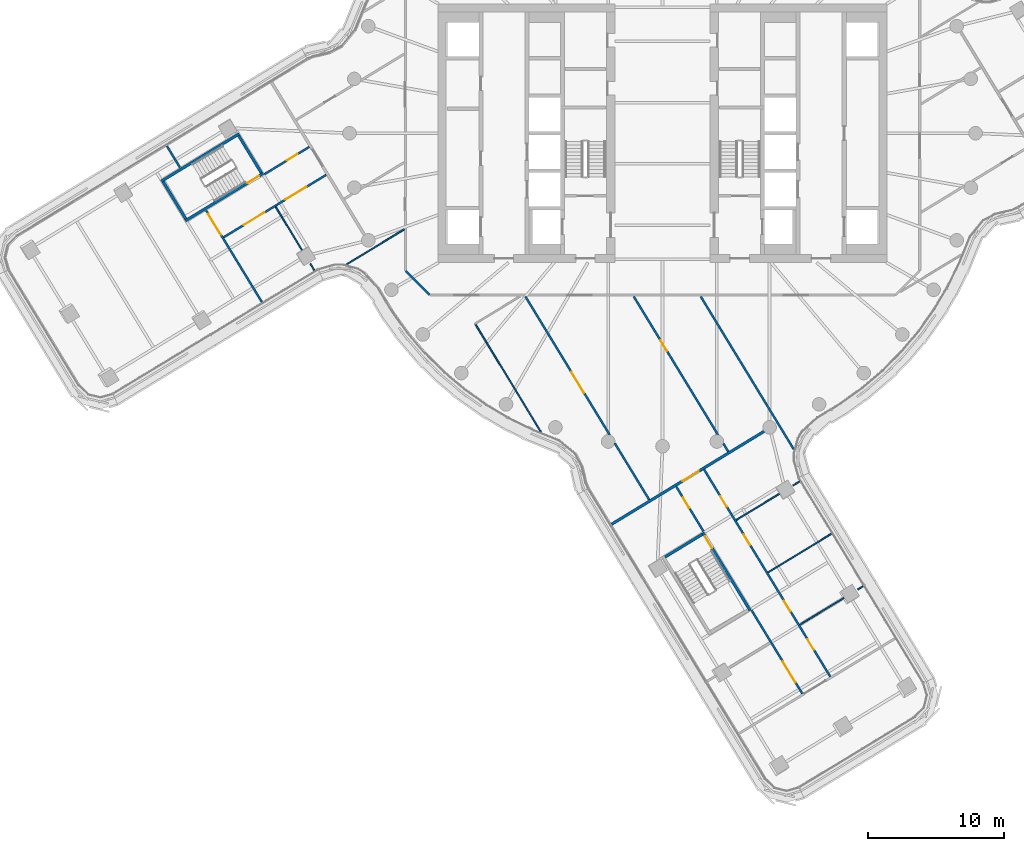
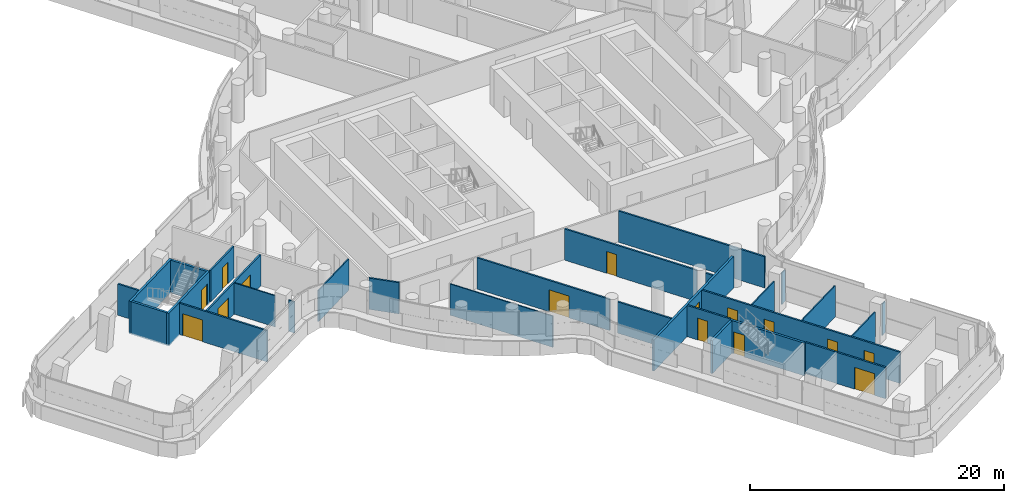
# One storey, part 21 of 35: 29 walls, 15 doors, 15 openings.
"""IFC4 building model written with IfcOpenShell, lengths in metres."""

from ifc_helpers import new_model, si_unit, direction, frame, frame_2d, origin, place, context, subcontext, project, spatial, polyline, rectangle, outline, extrude, material, layer, layer_set, type_object, element, fill, save


model = new_model("IFC4")

# Units and contexts
model_context = context("Model", 3, precision=1e-05, world=origin(), true_north=direction((0.0, 1.0)))
body_context = subcontext(model_context, "Body", "Model", "MODEL_VIEW")
ifc_project = project(units=[si_unit("LENGTHUNIT", "METRE"), si_unit("AREAUNIT", "SQUARE_METRE"), si_unit("VOLUMEUNIT", "CUBIC_METRE"), si_unit("PLANEANGLEUNIT", "RADIAN"), si_unit("MASSUNIT", "GRAM", prefix="KILO")], contexts=[model_context])

# Site, building, storey
site_placement = place(None, origin())
site = spatial("IfcSite", under=ifc_project, at=site_placement, CompositionType="ELEMENT")
building_placement = place(site_placement, origin())
building = spatial("IfcBuilding", under=site, at=building_placement, Name="Tamarind Cross Interchange Tower", CompositionType="ELEMENT")
storey_placement = place(building_placement, frame((0.0, 0.0, 148.0)))
storey = spatial("IfcBuildingStorey", under=building, at=storey_placement, Name="L36", CompositionType="ELEMENT", Elevation=148.0)

# Walls
ifc_material_1 = material(Name="Gypsum board partition on steel studs", Category="steel")
ifc_layer_1 = layer(ifc_material_1, 0.10009765625)
ifc_layer_set_1 = layer_set([ifc_layer_1], Name="Gypsum board partition on steel studs")
wall_type_1 = type_object("IfcWallType", Name="Partition 100 mm EI 90", PredefinedType="PARTITIONING", material=ifc_layer_set_1)
wall_1_placement = place(storey_placement, frame((-28.425048828125, -5.406005859375, 0.0), z_axis=(0.0, 0.0, 1.0), x_axis=(0.520122472482, -0.854091689235, 0.0)))
element("IfcWall", 1, at=wall_1_placement, inside=storey, type_object=wall_type_1, Name="Partition L36-004", PredefinedType="PARTITIONING", context=body_context, shape_type="SweptSolid", body=[
    extrude(rectangle(XDim=3.706298828125, YDim=0.10009765625, at=frame_2d((1.85302734375, 0.0))), origin(), (0.0, 0.0, 1.0), 3.010009765625),
])
wall_2_placement = place(storey_placement, frame((-25.876953125, -9.5908203125, 0.0), z_axis=(0.0, 0.0, 1.0), x_axis=(0.520444667397, -0.853895396508, 0.0)))
element("IfcWall", 2, at=wall_2_placement, inside=storey, type_object=wall_type_1, Name="Partition L36-005", PredefinedType="PARTITIONING", context=body_context, shape_type="SweptSolid", body=[
    extrude(rectangle(XDim=0.56005859375, YDim=0.10009765625, at=frame_2d((0.280029296875, 0.0))), origin(), (0.0, 0.0, 1.0), 3.010009765625),
])
wall_3_placement = place(storey_placement, frame((-13.7470703125, -14.038818359375, 0.0), z_axis=(0.0, 0.0, 1.0), x_axis=(0.520158758084, -0.854069591069, 0.0)))
element("IfcWall", 3, at=wall_3_placement, inside=storey, type_object=wall_type_1, Name="Partition L36-006", PredefinedType="PARTITIONING", context=body_context, shape_type="SweptSolid", body=[
    extrude(rectangle(XDim=9.25048828125, YDim=0.10009765625, at=frame_2d((4.625244140625, 0.0))), origin(), (0.0, 0.0, 1.0), 3.010009765625),
])
wall_4_placement = place(storey_placement, frame((-23.211181640625, -9.636474609375, 0.0), z_axis=(0.0, 0.0, 1.0), x_axis=(0.854072881225, 0.520153355806, 0.0)))
element("IfcWall", 4, at=wall_4_placement, inside=storey, type_object=wall_type_1, Name="Partition L36-042", PredefinedType="PARTITIONING", context=body_context, shape_type="SweptSolid", body=[
    extrude(rectangle(XDim=4.95263671875, YDim=0.10009765625, at=frame_2d((2.476318359375, 0.0))), origin(), (0.0, 0.0, 1.0), 3.010009765625),
])
wall_5_placement = place(storey_placement, frame((10.092041015625, -36.10888671875, 0.0), z_axis=(0.0, 0.0, 1.0), x_axis=(0.854040252473, 0.520206927247, 0.0)))
element("IfcWall", 5, at=wall_5_placement, inside=storey, type_object=wall_type_1, Name="Partition L36-056", PredefinedType="PARTITIONING", context=body_context, shape_type="SweptSolid", body=[
    extrude(rectangle(XDim=3.783203125, YDim=0.10009765625, at=frame_2d((1.8916015625, 0.0))), origin(), (0.0, 0.0, 1.0), 3.010009765625),
])
wall_6_placement = place(storey_placement, frame((14.342041015625, -33.520263671875, 0.0), z_axis=(0.0, 0.0, 1.0), x_axis=(0.853911297879, 0.520418577065, 0.0)))
element("IfcWall", 6, at=wall_6_placement, inside=storey, type_object=wall_type_1, Name="Partition L36-057", PredefinedType="PARTITIONING", context=body_context, shape_type="SweptSolid", body=[
    extrude(rectangle(XDim=0.459716796875, YDim=0.10009765625, at=frame_2d((0.22998046875, 0.0))), origin(), (0.0, 0.0, 1.0), 3.010009765625),
])
wall_7_placement = place(storey_placement, frame((5.410400390625, -28.42236328125, 0.0), z_axis=(0.0, 0.0, 1.0), x_axis=(0.854092814708, 0.520120624341, 0.0)))
element("IfcWall", 7, at=wall_7_placement, inside=storey, type_object=wall_type_1, Name="Partition L36-058", PredefinedType="PARTITIONING", context=body_context, shape_type="SweptSolid", body=[
    extrude(rectangle(XDim=3.701171875, YDim=0.10009765625, at=frame_2d((1.8505859375, 0.0))), origin(), (0.0, 0.0, 1.0), 3.010009765625),
])
wall_8_placement = place(storey_placement, frame((9.5908203125, -25.876953125, 0.0), z_axis=(0.0, 0.0, 1.0), x_axis=(0.853895396508, 0.520444667397, 0.0)))
element("IfcWall", 8, at=wall_8_placement, inside=storey, type_object=wall_type_1, Name="Partition L36-059", PredefinedType="PARTITIONING", context=body_context, shape_type="SweptSolid", body=[
    extrude(rectangle(XDim=0.56005859375, YDim=0.10009765625, at=frame_2d((0.280029296875, 0.0))), origin(), (0.0, 0.0, 1.0), 3.010009765625),
])
wall_9_placement = place(storey_placement, frame((7.751220703125, -32.266357421875, 0.0), z_axis=(0.0, 0.0, 1.0), x_axis=(0.854052214436, 0.520187288404, 0.0)))
element("IfcWall", 9, at=wall_9_placement, inside=storey, type_object=wall_type_1, Name="Partition L36-061", PredefinedType="PARTITIONING", context=body_context, shape_type="SweptSolid", body=[
    extrude(rectangle(XDim=5.445556640625, YDim=0.10009765625, at=frame_2d((2.72265625, 0.0))), origin(), (0.0, 0.0, 1.0), 3.010009765625),
])
ifc_layer_2 = layer(ifc_material_1, 0.14990234375)
ifc_layer_set_2 = layer_set([ifc_layer_2], Name="Gypsum board partition on steel studs")
wall_type_2 = type_object("IfcWallType", Name="Partition 150 mm EI 120", PredefinedType="PARTITIONING", material=ifc_layer_set_2)
wall_10_placement = place(storey_placement, frame((-36.41650390625, -0.936767578125, 0.0), z_axis=(0.0, 0.0, 1.0), x_axis=(0.519951113346, -0.8541960195, 0.0)))
element("IfcWall", 10, at=wall_10_placement, inside=storey, type_object=wall_type_2, Name="Partition L36-001", PredefinedType="PARTITIONING", context=body_context, shape_type="SweptSolid", body=[
    extrude(rectangle(XDim=1.85888671875, YDim=0.14990234375, at=frame_2d((0.929443359375, 0.0))), origin(), (0.0, 0.0, 1.0), 3.010009765625),
])

# Wall, opening, door
wall_11_placement = place(storey_placement, frame((-33.5361328125, -5.668701171875, 0.0), z_axis=(0.0, 0.0, 1.0), x_axis=(0.519944982291, -0.854199751457, 0.0)))
wall_11 = element("IfcWall", 11, at=wall_11_placement, inside=storey, type_object=wall_type_2, Name="Partition L36-002", PredefinedType="PARTITIONING", context=body_context, shape_type="SweptSolid", body=[
    extrude(rectangle(XDim=7.884765625, YDim=0.14990234375, at=frame_2d((3.9423828125, 0.0))), origin(), (0.0, 0.0, 1.0), 3.010009765625),
])
opening_1_placement = place(wall_11_placement, frame((0.300048828125, 0.0, 0.0)))
opening_1 = element("IfcOpeningElement", 12, at=opening_1_placement, cuts=wall_11, Name="Opening D01", PredefinedType="OPENING", context=body_context, shape_type="SweptSolid", body=[
    extrude(rectangle(XDim=1.800048828125, YDim=2.10009765625, at=frame_2d((0.89990234375, 1.050048828125))), frame((0.0, 0.0849609375, 0.0), z_axis=(0.0, -1.0, 0.0), x_axis=(1.0, 0.0, 0.0)), (0.0, 0.0, 1.0), 0.169921875),
])
ifc_material_2 = material(Name="Fire-resisting door set")
door_type_1 = type_object("IfcDoorType", Name="Interior door 1800 x 2100 FD60S", OperationType="DOUBLE_DOOR_SINGLE_SWING", PredefinedType="DOOR", material=ifc_material_2)
door_1_placement = place(opening_1_placement, frame((1.800048828125, 0.0, 0.0), z_axis=(0.0, 0.0, 1.0), x_axis=(-1.0, 0.0, 0.0)))
door_1 = element("IfcDoor", 13, at=door_1_placement, inside=storey, type_object=door_type_1, Name="Door D01", OperationType="DOUBLE_DOOR_SINGLE_SWING", OverallHeight=2.10009765625, OverallWidth=1.800048828125, PredefinedType="DOOR", context=body_context, shape_type="SweptSolid", body=[
    extrude(rectangle(XDim=1.800048828125, YDim=2.10009765625, at=frame_2d((0.89990234375, 1.050048828125))), frame((0.0, 0.02490234375, 0.0), z_axis=(0.0, -1.0, 0.0), x_axis=(1.0, 0.0, 0.0)), (0.0, 0.0, 1.0), 0.050048828125),
])
fill(opening_1, door_1)

wall_12_placement = place(storey_placement, frame((-10.0732421875, -11.998291015625, 0.0), z_axis=(0.0, 0.0, 1.0), x_axis=(0.520207638853, -0.854039819024, 0.0)))
wall_12 = element("IfcWall", 14, at=wall_12_placement, inside=storey, type_object=wall_type_2, Name="Partition L36-007", PredefinedType="PARTITIONING", context=body_context, shape_type="SweptSolid", body=[
    extrude(rectangle(XDim=11.91259765625, YDim=0.14990234375, at=frame_2d((5.956298828125, 0.0))), origin(), (0.0, 0.0, 1.0), 3.010009765625),
])
opening_2_placement = place(wall_12_placement, frame((6.485107421875, 0.0, 0.0)))
opening_2 = element("IfcOpeningElement", 15, at=opening_2_placement, cuts=wall_12, Name="Opening D03", PredefinedType="OPENING", context=body_context, shape_type="SweptSolid", body=[
    extrude(rectangle(XDim=1.800048828125, YDim=2.10009765625, at=frame_2d((0.89990234375, 1.050048828125))), frame((0.0, 0.0849609375, 0.0), z_axis=(0.0, -1.0, 0.0), x_axis=(1.0, 0.0, 0.0)), (0.0, 0.0, 1.0), 0.169921875),
])
door_2_placement = place(opening_2_placement, frame((1.800048828125, 0.0, 0.0), z_axis=(0.0, 0.0, 1.0), x_axis=(-1.0, 0.0, 0.0)))
door_2 = element("IfcDoor", 16, at=door_2_placement, inside=storey, type_object=door_type_1, Name="Door D03", OperationType="DOUBLE_DOOR_SINGLE_SWING", OverallHeight=2.10009765625, OverallWidth=1.800048828125, PredefinedType="DOOR", context=body_context, shape_type="SweptSolid", body=[
    extrude(rectangle(XDim=1.800048828125, YDim=2.10009765625, at=frame_2d((0.89990234375, 1.050048828125))), frame((0.0, 0.02490234375, 0.0), z_axis=(0.0, -1.0, 0.0), x_axis=(1.0, 0.0, 0.0)), (0.0, 0.0, 1.0), 0.050048828125),
])
fill(opening_2, door_2)

# Wall
wall_13_placement = place(storey_placement, frame((-3.5146484375, -22.765625, 0.0), z_axis=(0.0, 0.0, 1.0), x_axis=(0.520185263298, -0.854053447887, 0.0)))
element("IfcWall", 17, at=wall_13_placement, inside=storey, type_object=wall_type_2, Name="Partition L36-008", PredefinedType="PARTITIONING", context=body_context, shape_type="SweptSolid", body=[
    extrude(rectangle(XDim=4.87451171875, YDim=0.14990234375, at=frame_2d((2.437255859375, 0.0))), origin(), (0.0, 0.0, 1.0), 3.010009765625),
])

# Wall, opening, door
wall_14_placement = place(storey_placement, frame((-2.111083984375, -11.998291015625, 0.0), z_axis=(0.0, 0.0, 1.0), x_axis=(0.520158414561, -0.854069800287, 0.0)))
wall_14 = element("IfcWall", 18, at=wall_14_placement, inside=storey, type_object=wall_type_2, Name="Partition L36-016", PredefinedType="PARTITIONING", context=body_context, shape_type="SweptSolid", body=[
    extrude(rectangle(XDim=11.90234375, YDim=0.14990234375, at=frame_2d((5.951171875, 0.0))), origin(), (0.0, 0.0, 1.0), 3.010009765625),
])
opening_3_placement = place(wall_14_placement, frame((3.784912109375, 0.0, 0.0)))
opening_3 = element("IfcOpeningElement", 19, at=opening_3_placement, cuts=wall_14, Name="Opening D09", PredefinedType="OPENING", context=body_context, shape_type="SweptSolid", body=[
    extrude(rectangle(XDim=0.89990234375, YDim=2.10009765625, at=frame_2d((0.449951171875, 1.050048828125))), frame((0.0, 0.0849609375, 0.0), z_axis=(0.0, -1.0, 0.0), x_axis=(1.0, 0.0, 0.0)), (0.0, 0.0, 1.0), 0.169921875),
])
door_type_2 = type_object("IfcDoorType", Name="Interior door 900 x 2100 FD60S", OperationType="SINGLE_SWING_LEFT", PredefinedType="DOOR", material=ifc_material_2)
door_3_placement = place(opening_3_placement, origin())
door_3 = element("IfcDoor", 20, at=door_3_placement, inside=storey, type_object=door_type_2, Name="Door D09", OperationType="SINGLE_SWING_RIGHT", OverallHeight=2.10009765625, OverallWidth=0.89990234375, PredefinedType="DOOR", context=body_context, shape_type="SweptSolid", body=[
    extrude(rectangle(XDim=0.89990234375, YDim=2.10009765625, at=frame_2d((0.449951171875, 1.050048828125))), frame((0.0, 0.02490234375, 0.0), z_axis=(0.0, -1.0, 0.0), x_axis=(1.0, 0.0, 0.0)), (0.0, 0.0, 1.0), 0.050048828125),
])
fill(opening_3, door_3)

# Wall
wall_15_placement = place(storey_placement, frame((4.465087890625, -22.795654296875, 0.0), z_axis=(0.0, 0.0, 1.0), x_axis=(0.519991350708, -0.854171525625, 0.0)))
element("IfcWall", 21, at=wall_15_placement, inside=storey, type_object=wall_type_2, Name="Partition L36-017", PredefinedType="PARTITIONING", context=body_context, shape_type="SweptSolid", body=[
    extrude(rectangle(XDim=0.69775390625, YDim=0.14990234375, at=frame_2d((0.348876953125, 0.0))), origin(), (0.0, 0.0, 1.0), 3.010009765625),
])

# Wall, opening, door
wall_16_placement = place(storey_placement, frame((1.00390625, -25.955322265625, 0.0), z_axis=(0.0, 0.0, 1.0), x_axis=(0.520149611464, -0.854075161619, 0.0)))
wall_16 = element("IfcWall", 22, at=wall_16_placement, inside=storey, type_object=wall_type_2, Name="Partition L36-021", PredefinedType="PARTITIONING", context=body_context, shape_type="SweptSolid", body=[
    extrude(rectangle(XDim=3.859619140625, YDim=0.14990234375, at=frame_2d((1.9296875, 0.0))), origin(), (0.0, 0.0, 1.0), 3.010009765625),
])
opening_4_placement = place(wall_16_placement, frame((0.949951171875, 0.0, 0.0)))
opening_4 = element("IfcOpeningElement", 23, at=opening_4_placement, cuts=wall_16, Name="Opening D13", PredefinedType="OPENING", context=body_context, shape_type="SweptSolid", body=[
    extrude(rectangle(XDim=0.89990234375, YDim=2.10009765625, at=frame_2d((0.449951171875, 1.050048828125))), frame((0.0, 0.0849609375, 0.0), z_axis=(0.0, -1.0, 0.0), x_axis=(1.0, 0.0, 0.0)), (0.0, 0.0, 1.0), 0.169921875),
])
door_4_placement = place(opening_4_placement, frame((0.89990234375, 0.0, 0.0), z_axis=(0.0, 0.0, 1.0), x_axis=(-1.0, 0.0, 0.0)))
door_4 = element("IfcDoor", 24, at=door_4_placement, inside=storey, type_object=door_type_2, Name="Door D13", OperationType="SINGLE_SWING_LEFT", OverallHeight=2.10009765625, OverallWidth=0.89990234375, PredefinedType="DOOR", context=body_context, shape_type="SweptSolid", body=[
    extrude(rectangle(XDim=0.89990234375, YDim=2.10009765625, at=frame_2d((0.449951171875, 1.050048828125))), frame((0.0, 0.02490234375, 0.0), z_axis=(0.0, -1.0, 0.0), x_axis=(1.0, 0.0, 0.0)), (0.0, 0.0, 1.0), 0.050048828125),
])
fill(opening_4, door_4)

wall_17_placement = place(storey_placement, frame((6.537841796875, -35.04248046875, 0.0), z_axis=(0.0, 0.0, 1.0), x_axis=(0.520109812867, -0.854099398524, 0.0)))
wall_17 = element("IfcWall", 25, at=wall_17_placement, inside=storey, type_object=wall_type_2, Name="Partition L36-022", PredefinedType="PARTITIONING", context=body_context, shape_type="SweptSolid", body=[
    extrude(rectangle(XDim=7.180419921875, YDim=0.14990234375, at=frame_2d((3.59033203125, 0.0))), origin(), (0.0, 0.0, 1.0), 3.010009765625),
])
opening_5_placement = place(wall_17_placement, frame((4.40966796875, 0.0, 0.0)))
opening_5 = element("IfcOpeningElement", 26, at=opening_5_placement, cuts=wall_17, Name="Opening D14", PredefinedType="OPENING", context=body_context, shape_type="SweptSolid", body=[
    extrude(rectangle(XDim=1.800048828125, YDim=2.10009765625, at=frame_2d((0.89990234375, 1.050048828125))), frame((0.0, 0.0849609375, 0.0), z_axis=(0.0, -1.0, 0.0), x_axis=(1.0, 0.0, 0.0)), (0.0, 0.0, 1.0), 0.169921875),
])
door_5_placement = place(opening_5_placement, frame((1.800048828125, 0.0, 0.0), z_axis=(0.0, 0.0, 1.0), x_axis=(-1.0, 0.0, 0.0)))
door_5 = element("IfcDoor", 27, at=door_5_placement, inside=storey, type_object=door_type_1, Name="Door D14", OperationType="DOUBLE_DOOR_SINGLE_SWING", OverallHeight=2.10009765625, OverallWidth=1.800048828125, PredefinedType="DOOR", context=body_context, shape_type="SweptSolid", body=[
    extrude(rectangle(XDim=1.800048828125, YDim=2.10009765625, at=frame_2d((0.89990234375, 1.050048828125))), frame((0.0, 0.02490234375, 0.0), z_axis=(0.0, -1.0, 0.0), x_axis=(1.0, 0.0, 0.0)), (0.0, 0.0, 1.0), 0.050048828125),
])
fill(opening_5, door_5)

# Wall
wall_18_placement = place(storey_placement, frame((2.806884765625, -11.998291015625, 0.0), z_axis=(0.0, 0.0, 1.0), x_axis=(0.520227143578, -0.854027938117, 0.0)))
element("IfcWall", 28, at=wall_18_placement, inside=storey, type_object=wall_type_2, Name="Partition L36-023", PredefinedType="PARTITIONING", context=body_context, shape_type="SweptSolid", body=[
    extrude(rectangle(XDim=13.128662109375, YDim=0.14990234375, at=frame_2d((6.564453125, 0.0))), origin(), (0.0, 0.0, 1.0), 3.010009765625),
])

# Wall, openings, doors
wall_19_placement = place(storey_placement, frame((3.053955078125, -24.706298828125, 0.0), z_axis=(0.0, 0.0, 1.0), x_axis=(0.520172066884, -0.854061485394, 0.0)))
wall_19 = element("IfcWall", 29, at=wall_19_placement, inside=storey, type_object=wall_type_2, Name="Partition L36-024", PredefinedType="PARTITIONING", context=body_context, shape_type="SweptSolid", body=[
    extrude(rectangle(XDim=17.820068359375, YDim=0.14990234375, at=frame_2d((8.91015625, 0.0))), origin(), (0.0, 0.0, 1.0), 3.010009765625),
])
opening_6_placement = place(wall_19_placement, frame((2.300048828125, 0.0, 0.0)))
opening_6 = element("IfcOpeningElement", 30, at=opening_6_placement, cuts=wall_19, Name="Opening D15", PredefinedType="OPENING", context=body_context, shape_type="SweptSolid", body=[
    extrude(rectangle(XDim=0.89990234375, YDim=2.10009765625, at=frame_2d((0.449951171875, 1.050048828125))), frame((0.0, 0.0849609375, 0.0), z_axis=(0.0, -1.0, 0.0), x_axis=(1.0, 0.0, 0.0)), (0.0, 0.0, 1.0), 0.169921875),
])
opening_7_placement = place(wall_19_placement, frame((5.599365234375, 0.0, 0.0)))
opening_7 = element("IfcOpeningElement", 31, at=opening_7_placement, cuts=wall_19, Name="Opening D16", PredefinedType="OPENING", context=body_context, shape_type="SweptSolid", body=[
    extrude(rectangle(XDim=0.89990234375, YDim=2.10009765625, at=frame_2d((0.449951171875, 1.050048828125))), frame((0.0, 0.0849609375, 0.0), z_axis=(0.0, -1.0, 0.0), x_axis=(1.0, 0.0, 0.0)), (0.0, 0.0, 1.0), 0.169921875),
])
opening_8_placement = place(wall_19_placement, frame((11.300048828125, 0.0, 0.0)))
opening_8 = element("IfcOpeningElement", 32, at=opening_8_placement, cuts=wall_19, Name="Opening D17", PredefinedType="OPENING", context=body_context, shape_type="SweptSolid", body=[
    extrude(rectangle(XDim=0.89990234375, YDim=2.10009765625, at=frame_2d((0.449951171875, 1.050048828125))), frame((0.0, 0.0849609375, 0.0), z_axis=(0.0, -1.0, 0.0), x_axis=(1.0, 0.0, 0.0)), (0.0, 0.0, 1.0), 0.169921875),
])
opening_9_placement = place(wall_19_placement, frame((14.60009765625, 0.0, 0.0)))
opening_9 = element("IfcOpeningElement", 33, at=opening_9_placement, cuts=wall_19, Name="Opening D18", PredefinedType="OPENING", context=body_context, shape_type="SweptSolid", body=[
    extrude(rectangle(XDim=0.89990234375, YDim=2.10009765625, at=frame_2d((0.449951171875, 1.050048828125))), frame((0.0, 0.0849609375, 0.0), z_axis=(0.0, -1.0, 0.0), x_axis=(1.0, 0.0, 0.0)), (0.0, 0.0, 1.0), 0.169921875),
])
door_6_placement = place(opening_6_placement, origin())
door_6 = element("IfcDoor", 34, at=door_6_placement, inside=storey, type_object=door_type_2, Name="Door D15", OperationType="SINGLE_SWING_RIGHT", OverallHeight=2.10009765625, OverallWidth=0.89990234375, PredefinedType="DOOR", context=body_context, shape_type="SweptSolid", body=[
    extrude(rectangle(XDim=0.89990234375, YDim=2.10009765625, at=frame_2d((0.449951171875, 1.050048828125))), frame((0.0, 0.02490234375, 0.0), z_axis=(0.0, -1.0, 0.0), x_axis=(1.0, 0.0, 0.0)), (0.0, 0.0, 1.0), 0.050048828125),
])
fill(opening_6, door_6)
door_7_placement = place(opening_7_placement, origin())
door_7 = element("IfcDoor", 35, at=door_7_placement, inside=storey, type_object=door_type_2, Name="Door D16", OperationType="SINGLE_SWING_RIGHT", OverallHeight=2.10009765625, OverallWidth=0.89990234375, PredefinedType="DOOR", context=body_context, shape_type="SweptSolid", body=[
    extrude(rectangle(XDim=0.89990234375, YDim=2.10009765625, at=frame_2d((0.449951171875, 1.050048828125))), frame((0.0, 0.02490234375, 0.0), z_axis=(0.0, -1.0, 0.0), x_axis=(1.0, 0.0, 0.0)), (0.0, 0.0, 1.0), 0.050048828125),
])
fill(opening_7, door_7)
door_8_placement = place(opening_8_placement, origin())
door_8 = element("IfcDoor", 36, at=door_8_placement, inside=storey, type_object=door_type_2, Name="Door D17", OperationType="SINGLE_SWING_LEFT", OverallHeight=2.10009765625, OverallWidth=0.89990234375, PredefinedType="DOOR", context=body_context, shape_type="SweptSolid", body=[
    extrude(rectangle(XDim=0.89990234375, YDim=2.10009765625, at=frame_2d((0.449951171875, 1.050048828125))), frame((0.0, 0.02490234375, 0.0), z_axis=(0.0, -1.0, 0.0), x_axis=(1.0, 0.0, 0.0)), (0.0, 0.0, 1.0), 0.050048828125),
])
fill(opening_8, door_8)
door_9_placement = place(opening_9_placement, origin())
door_9 = element("IfcDoor", 37, at=door_9_placement, inside=storey, type_object=door_type_2, Name="Door D18", OperationType="SINGLE_SWING_LEFT", OverallHeight=2.10009765625, OverallWidth=0.89990234375, PredefinedType="DOOR", context=body_context, shape_type="SweptSolid", body=[
    extrude(rectangle(XDim=0.89990234375, YDim=2.10009765625, at=frame_2d((0.449951171875, 1.050048828125))), frame((0.0, 0.02490234375, 0.0), z_axis=(0.0, -1.0, 0.0), x_axis=(1.0, 0.0, 0.0)), (0.0, 0.0, 1.0), 0.050048828125),
])
fill(opening_9, door_9)

# Wall
wall_20_placement = place(storey_placement, frame((-18.87158203125, -10.12841796875, 0.0), z_axis=(0.0, 0.0, 1.0), x_axis=(0.707106781187, -0.707106781187, 0.0)))
element("IfcWall", 38, at=wall_20_placement, inside=storey, type_object=wall_type_2, Name="Partition L36-032", PredefinedType="PARTITIONING", context=body_context, shape_type="SweptSolid", body=[
    extrude(rectangle(XDim=2.465087890625, YDim=0.14990234375, at=frame_2d((1.232421875, 0.0))), origin(), (0.0, 0.0, 1.0), 3.010009765625),
])

# Wall, openings, doors
wall_21_placement = place(storey_placement, frame((-32.243896484375, -7.64404296875, 0.0), z_axis=(0.0, 0.0, 1.0), x_axis=(0.854078870735, 0.520143521121, 0.0)))
wall_21 = element("IfcWall", 39, at=wall_21_placement, inside=storey, type_object=wall_type_2, Name="Partition L36-036", PredefinedType="PARTITIONING", context=body_context, shape_type="SweptSolid", body=[
    extrude(rectangle(XDim=8.8251953125, YDim=0.14990234375, at=frame_2d((4.41259765625, 0.0))), origin(), (0.0, 0.0, 1.0), 3.010009765625),
])
opening_10_placement = place(wall_21_placement, frame((1.72509765625, 0.0, 0.0)))
opening_10 = element("IfcOpeningElement", 40, at=opening_10_placement, cuts=wall_21, Name="Opening D27", PredefinedType="OPENING", context=body_context, shape_type="SweptSolid", body=[
    extrude(rectangle(XDim=1.800048828125, YDim=2.10009765625, at=frame_2d((0.89990234375, 1.050048828125))), frame((0.0, 0.0849609375, 0.0), z_axis=(0.0, -1.0, 0.0), x_axis=(1.0, 0.0, 0.0)), (0.0, 0.0, 1.0), 0.169921875),
])
opening_11_placement = place(wall_21_placement, frame((5.32568359375, 0.0, 0.0)))
opening_11 = element("IfcOpeningElement", 41, at=opening_11_placement, cuts=wall_21, Name="Opening D28", PredefinedType="OPENING", context=body_context, shape_type="SweptSolid", body=[
    extrude(rectangle(XDim=1.800048828125, YDim=2.10009765625, at=frame_2d((0.89990234375, 1.050048828125))), frame((0.0, 0.0849609375, 0.0), z_axis=(0.0, -1.0, 0.0), x_axis=(1.0, 0.0, 0.0)), (0.0, 0.0, 1.0), 0.169921875),
])
door_10_placement = place(opening_10_placement, frame((1.800048828125, 0.0, 0.0), z_axis=(0.0, 0.0, 1.0), x_axis=(-1.0, 0.0, 0.0)))
door_10 = element("IfcDoor", 42, at=door_10_placement, inside=storey, type_object=door_type_1, Name="Door D27", OperationType="DOUBLE_DOOR_SINGLE_SWING", OverallHeight=2.10009765625, OverallWidth=1.800048828125, PredefinedType="DOOR", context=body_context, shape_type="SweptSolid", body=[
    extrude(rectangle(XDim=1.800048828125, YDim=2.10009765625, at=frame_2d((0.89990234375, 1.050048828125))), frame((0.0, 0.02490234375, 0.0), z_axis=(0.0, -1.0, 0.0), x_axis=(1.0, 0.0, 0.0)), (0.0, 0.0, 1.0), 0.050048828125),
])
fill(opening_10, door_10)
door_11_placement = place(opening_11_placement, frame((1.800048828125, 0.0, 0.0), z_axis=(0.0, 0.0, 1.0), x_axis=(-1.0, 0.0, 0.0)))
door_11 = element("IfcDoor", 43, at=door_11_placement, inside=storey, type_object=door_type_1, Name="Door D28", OperationType="DOUBLE_DOOR_SINGLE_SWING", OverallHeight=2.10009765625, OverallWidth=1.800048828125, PredefinedType="DOOR", context=body_context, shape_type="SweptSolid", body=[
    extrude(rectangle(XDim=1.800048828125, YDim=2.10009765625, at=frame_2d((0.89990234375, 1.050048828125))), frame((0.0, 0.02490234375, 0.0), z_axis=(0.0, -1.0, 0.0), x_axis=(1.0, 0.0, 0.0)), (0.0, 0.0, 1.0), 0.050048828125),
])
fill(opening_11, door_11)

# Wall, opening, door
wall_22_placement = place(storey_placement, frame((-29.251708984375, -3.01171875, 0.0), z_axis=(0.0, 0.0, 1.0), x_axis=(0.854047060259, 0.520195750524, 0.0)))
wall_22 = element("IfcWall", 44, at=wall_22_placement, inside=storey, type_object=wall_type_2, Name="Partition L36-037", PredefinedType="PARTITIONING", context=body_context, shape_type="SweptSolid", body=[
    extrude(rectangle(XDim=3.859619140625, YDim=0.14990234375, at=frame_2d((1.9296875, 0.0))), origin(), (0.0, 0.0, 1.0), 3.010009765625),
])
opening_12_placement = place(wall_22_placement, frame((1.949951171875, 0.0, 0.0)))
opening_12 = element("IfcOpeningElement", 45, at=opening_12_placement, cuts=wall_22, Name="Opening D29", PredefinedType="OPENING", context=body_context, shape_type="SweptSolid", body=[
    extrude(rectangle(XDim=0.89990234375, YDim=2.10009765625, at=frame_2d((0.449951171875, 1.050048828125))), frame((0.0, 0.0849609375, 0.0), z_axis=(0.0, -1.0, 0.0), x_axis=(1.0, 0.0, 0.0)), (0.0, 0.0, 1.0), 0.169921875),
])
door_12_placement = place(opening_12_placement, origin())
door_12 = element("IfcDoor", 46, at=door_12_placement, inside=storey, type_object=door_type_2, Name="Door D29", OperationType="SINGLE_SWING_LEFT", OverallHeight=2.10009765625, OverallWidth=0.89990234375, PredefinedType="DOOR", context=body_context, shape_type="SweptSolid", body=[
    extrude(rectangle(XDim=0.89990234375, YDim=2.10009765625, at=frame_2d((0.449951171875, 1.050048828125))), frame((0.0, 0.02490234375, 0.0), z_axis=(0.0, -1.0, 0.0), x_axis=(1.0, 0.0, 0.0)), (0.0, 0.0, 1.0), 0.050048828125),
])
fill(opening_12, door_12)

ifc_layer_3 = layer(ifc_material_1, 0.199951171875)
ifc_layer_set_3 = layer_set([ifc_layer_3], Name="Gypsum board partition on steel studs")
wall_type_3 = type_object("IfcWallType", Name="Partition 200 mm EI 180", PredefinedType="PARTITIONING", material=ifc_layer_set_3)
wall_23_placement = place(storey_placement, frame((-3.74462890625, -28.730224609375, 0.0), z_axis=(0.0, 0.0, 1.0), x_axis=(0.854090748312, 0.520124017565, 0.0)))
wall_23 = element("IfcWall", 47, at=wall_23_placement, inside=storey, type_object=wall_type_3, Name="Partition L36-053", PredefinedType="PARTITIONING", context=body_context, shape_type="SweptSolid", body=[
    extrude(rectangle(XDim=13.121337890625, YDim=0.199951171875, at=frame_2d((6.560546875, 0.0))), origin(), (0.0, 0.0, 1.0), 3.010009765625),
])
opening_13_placement = place(wall_23_placement, frame((6.09912109375, 0.0, 0.0)))
opening_13 = element("IfcOpeningElement", 48, at=opening_13_placement, cuts=wall_23, Name="Opening D33", PredefinedType="OPENING", context=body_context, shape_type="SweptSolid", body=[
    extrude(rectangle(XDim=1.39990234375, YDim=2.10009765625, at=frame_2d((0.699951171875, 1.050048828125))), frame((0.0, 0.10986328125, 0.0), z_axis=(0.0, -1.0, 0.0), x_axis=(1.0, 0.0, 0.0)), (0.0, 0.0, 1.0), 0.219970703125),
])
door_type_3 = type_object("IfcDoorType", Name="Interior door 1400 x 2100 FD120S", OperationType="DOUBLE_DOOR_SINGLE_SWING", PredefinedType="DOOR", material=ifc_material_2)
door_13_placement = place(opening_13_placement, origin())
door_13 = element("IfcDoor", 49, at=door_13_placement, inside=storey, type_object=door_type_3, Name="Door D33", OperationType="DOUBLE_DOOR_SINGLE_SWING", OverallHeight=2.10009765625, OverallWidth=1.39990234375, PredefinedType="DOOR", context=body_context, shape_type="SweptSolid", body=[
    extrude(rectangle(XDim=1.39990234375, YDim=2.10009765625, at=frame_2d((0.699951171875, 1.050048828125))), frame((0.0, 0.02490234375, 0.0), z_axis=(0.0, -1.0, 0.0), x_axis=(1.0, 0.0, 0.0)), (0.0, 0.0, 1.0), 0.050048828125),
])
fill(opening_13, door_13)

ifc_material_3 = material(Name="Concrete C40", Category="concrete")
ifc_layer_4 = layer(ifc_material_3, 0.199951171875)
ifc_layer_set_4 = layer_set([ifc_layer_4], Name="Concrete C40")
wall_type_4 = type_object("IfcWallType", Name="Stair shaft wall 200 mm Concrete C40", PredefinedType="SHEAR", material=ifc_layer_set_4)
wall_24_placement = place(storey_placement, frame((-29.337890625, -2.947021484375, -0.139892578125), z_axis=(0.0, 0.0, 1.0), x_axis=(-0.854046532708, -0.520196616646, 0.0)))
wall_24 = element("IfcWall", 50, at=wall_24_placement, inside=storey, type_object=wall_type_4, Name="Core wall CWL-L36-ST5-H", PredefinedType="SHEAR", context=body_context, shape_type="SweptSolid", body=[
    extrude(rectangle(XDim=6.699951171875, YDim=0.199951171875, at=frame_2d((3.35009765625, 0.0))), origin(), (0.0, 0.0, 1.0), 3.14990234375),
])
opening_14_placement = place(wall_24_placement, frame((0.35009765625, 0.0, 0.0)))
opening_14 = element("IfcOpeningElement", 51, at=opening_14_placement, cuts=wall_24, Name="Opening ST5L36", PredefinedType="OPENING", context=body_context, shape_type="SweptSolid", body=[
    extrude(rectangle(XDim=1.0, YDim=2.10009765625, at=frame_2d((0.5, 1.050048828125))), frame((0.0, 0.10986328125, 0.0), z_axis=(0.0, -1.0, 0.0), x_axis=(1.0, 0.0, 0.0)), (0.0, 0.0, 1.0), 0.219970703125),
])
ifc_material_4 = material(Name="Steel, fire-resisting", Category="steel")
door_type_4 = type_object("IfcDoorType", Name="Core fire door 1000 x 2100 FD90", OperationType="SINGLE_SWING_LEFT", PredefinedType="DOOR", material=ifc_material_4)
door_14_placement = place(opening_14_placement, origin())
door_14 = element("IfcDoor", 52, at=door_14_placement, inside=storey, type_object=door_type_4, Name="L36 stair door ST5", OperationType="SINGLE_SWING_LEFT", OverallHeight=2.10009765625, OverallWidth=1.0, PredefinedType="DOOR", context=body_context, shape_type="SweptSolid", body=[
    extrude(rectangle(XDim=1.0, YDim=2.10009765625, at=frame_2d((0.5, 1.050048828125))), frame((0.0, 0.02490234375, 0.0), z_axis=(0.0, -1.0, 0.0), x_axis=(1.0, 0.0, 0.0)), (0.0, 0.0, 1.0), 0.050048828125),
])
fill(opening_14, door_14)

# Walls
wall_25_placement = place(storey_placement, frame((-31.1064453125, -0.043212890625, -0.139892578125), z_axis=(0.0, 0.0, 1.0), x_axis=(-0.854046532708, -0.520196616646, 0.0)))
element("IfcWall", 53, at=wall_25_placement, inside=storey, type_object=wall_type_4, Name="Core wall CWL-L36-ST5-C", PredefinedType="SHEAR", context=body_context, shape_type="SweptSolid", body=[
    extrude(rectangle(XDim=6.699951171875, YDim=0.199951171875, at=frame_2d((3.35009765625, 0.0))), origin(), (0.0, 0.0, 1.0), 3.14990234375),
])
wall_26_placement = place(storey_placement, frame((-31.139892578125, -0.1806640625, -0.139892578125), z_axis=(0.0, 0.0, 1.0), x_axis=(0.520150233826, -0.854074782587, 0.0)))
element("IfcWall", 54, at=wall_26_placement, inside=storey, type_object=wall_type_4, Name="Core wall CWL-L36-ST5-CE", PredefinedType="SHEAR", context=body_context, shape_type="SweptSolid", body=[
    extrude(rectangle(XDim=3.2001953125, YDim=0.199951171875, at=frame_2d((1.60009765625, 0.0))), origin(), (0.0, 0.0, 1.0), 3.14990234375),
])
wall_27_placement = place(storey_placement, frame((0.0, 0.0, -0.139892578125)))
element("IfcWall", 55, at=wall_27_placement, inside=storey, type_object=wall_type_4, Name="Core wall CWL-L36-ST5-CF", PredefinedType="SHEAR", context=body_context, shape_type="SweptSolid", body=[
    extrude(outline(polyline([(-36.60595703125, -3.509765625), (-36.776611328125, -3.614013671875), (-35.112060546875, -6.346923828125), (-34.94140625, -6.242919921875), (-36.60595703125, -3.509765625)])), origin(), (0.0, 0.0, 1.0), 3.14990234375),
])

# Wall, opening, door
wall_28_placement = place(storey_placement, frame((2.947021484375, -29.337890625, -0.139892578125), z_axis=(0.0, 0.0, 1.0), x_axis=(0.520196616646, -0.854046532708, 0.0)))
wall_28 = element("IfcWall", 56, at=wall_28_placement, inside=storey, type_object=wall_type_4, Name="Core wall CWL-L36-ST6-H", PredefinedType="SHEAR", context=body_context, shape_type="SweptSolid", body=[
    extrude(rectangle(XDim=6.699951171875, YDim=0.199951171875, at=frame_2d((3.35009765625, 0.0))), origin(), (0.0, 0.0, 1.0), 3.14990234375),
])
opening_15_placement = place(wall_28_placement, frame((0.35009765625, 0.0, 0.0)))
opening_15 = element("IfcOpeningElement", 57, at=opening_15_placement, cuts=wall_28, Name="Opening ST6L36", PredefinedType="OPENING", context=body_context, shape_type="SweptSolid", body=[
    extrude(rectangle(XDim=1.0, YDim=2.10009765625, at=frame_2d((0.5, 1.050048828125))), frame((0.0, 0.10986328125, 0.0), z_axis=(0.0, -1.0, 0.0), x_axis=(1.0, 0.0, 0.0)), (0.0, 0.0, 1.0), 0.219970703125),
])
door_15_placement = place(opening_15_placement, origin())
door_15 = element("IfcDoor", 58, at=door_15_placement, inside=storey, type_object=door_type_4, Name="L36 stair door ST6", OperationType="SINGLE_SWING_LEFT", OverallHeight=2.10009765625, OverallWidth=1.0, PredefinedType="DOOR", context=body_context, shape_type="SweptSolid", body=[
    extrude(rectangle(XDim=1.0, YDim=2.10009765625, at=frame_2d((0.5, 1.050048828125))), frame((0.0, 0.02490234375, 0.0), z_axis=(0.0, -1.0, 0.0), x_axis=(1.0, 0.0, 0.0)), (0.0, 0.0, 1.0), 0.050048828125),
])
fill(opening_15, door_15)

# Wall
wall_29_placement = place(storey_placement, frame((0.1806640625, -31.139892578125, -0.139892578125), z_axis=(0.0, 0.0, 1.0), x_axis=(0.854074782587, 0.520150233826, 0.0)))
element("IfcWall", 59, at=wall_29_placement, inside=storey, type_object=wall_type_4, Name="Core wall CWL-L36-ST6-CE", PredefinedType="SHEAR", context=body_context, shape_type="SweptSolid", body=[
    extrude(rectangle(XDim=3.2001953125, YDim=0.199951171875, at=frame_2d((1.60009765625, 0.0))), origin(), (0.0, 0.0, 1.0), 3.14990234375),
])

save(model, "model.ifc")
